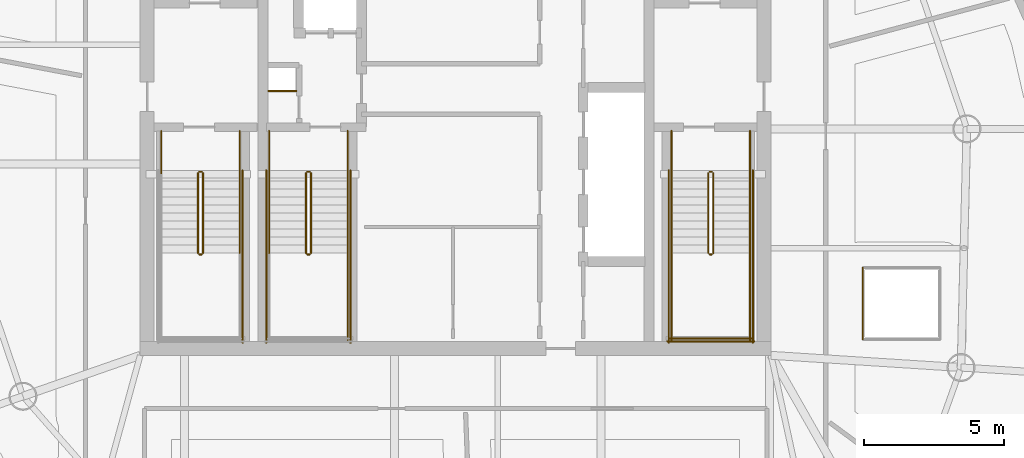
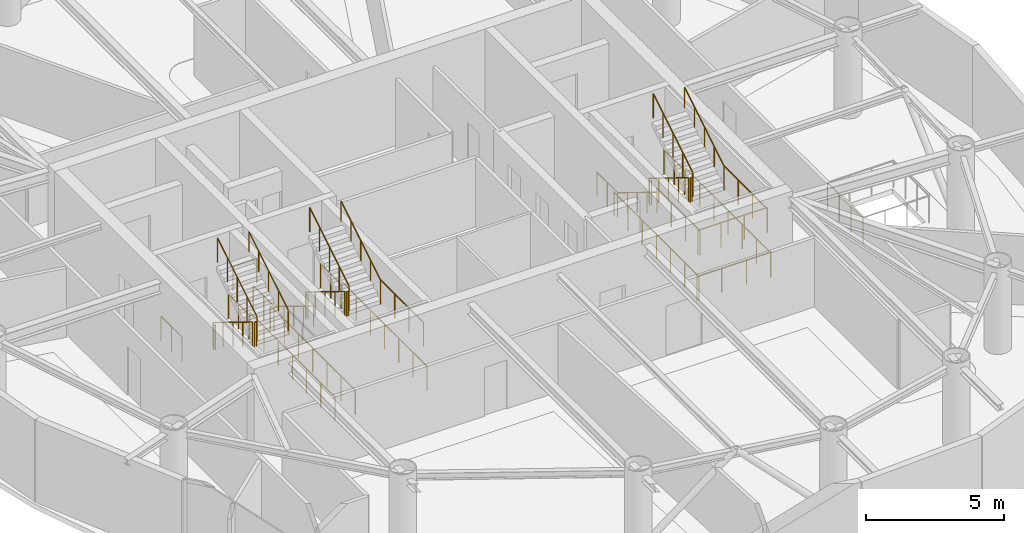
# One storey, part 16 of 17: 35 railings.
"""IFC4 building model written with IfcOpenShell, lengths in metres."""

from ifc_helpers import new_model, si_unit, direction, frame, origin, origin_2d, place, context, subcontext, project, spatial, circle, extrude, material, type_object, element, save


model = new_model("IFC4")

# Units and contexts
model_context = context("Model", 3, precision=1e-05, world=origin(), true_north=direction((0.0, 1.0)))
body_context = subcontext(model_context, "Body", "Model", "MODEL_VIEW")
ifc_project = project(units=[si_unit("LENGTHUNIT", "METRE"), si_unit("AREAUNIT", "SQUARE_METRE"), si_unit("VOLUMEUNIT", "CUBIC_METRE"), si_unit("PLANEANGLEUNIT", "RADIAN"), si_unit("MASSUNIT", "GRAM", prefix="KILO")], contexts=[model_context])

# Site, building, storey
site_placement = place(None, origin())
site = spatial("IfcSite", under=ifc_project, at=site_placement, CompositionType="ELEMENT")
building_placement = place(site_placement, origin())
building = spatial("IfcBuilding", under=site, at=building_placement, Name="Bramvorn Convention Spire", CompositionType="ELEMENT")
storey_placement = place(building_placement, frame((0.0, 0.0, 265.14990234375)))
storey = spatial("IfcBuildingStorey", under=building, at=storey_placement, Name="L67", CompositionType="ELEMENT", Elevation=265.14990234375)

# Railings
ifc_material_1 = material(Name="Warm Bronze Perforated Metal & Glass Balustrade", Category="glass")
railing_type_1 = type_object("IfcRailingType", Name="RL-POD-BALUSTRADE-1200", PredefinedType="BALUSTRADE", material=ifc_material_1)
railing_1_placement = place(storey_placement, frame((52.52001953125, 21.679931640625, 0.0)))
element("IfcRailing", 1, at=railing_1_placement, inside=storey, type_object=railing_type_1, Name="L67 Feature atrium void balustrade 4", PredefinedType="BALUSTRADE", context=body_context, shape_type="SweptSolid", body=[
    extrude(circle(Radius=0.02392578125, at=origin_2d()), frame((0.0, 0.0, 1.17578125), z_axis=(0.0, -1.0, 0.0), x_axis=(1.0, 0.0, 0.0)), (0.0, 0.0, 1.0), 2.559814453125),
    extrude(circle(Radius=0.02099609375, at=origin_2d()), origin(), (0.0, 0.0, 1.0), 1.15185546875),
    extrude(circle(Radius=0.02099609375, at=origin_2d()), frame((0.0, -0.853271484375, 0.0)), (0.0, 0.0, 1.0), 1.15185546875),
    extrude(circle(Radius=0.02099609375, at=origin_2d()), frame((0.0, -1.70654296875, 0.0)), (0.0, 0.0, 1.0), 1.15185546875),
    extrude(circle(Radius=0.02099609375, at=origin_2d()), frame((0.0, -2.559814453125, 0.0)), (0.0, 0.0, 1.0), 1.15185546875),
])
ifc_material_2 = material(Name="Painted Steel Balustrade & Guardrail", Category="steel")
railing_type_2 = type_object("IfcRailingType", Name="RL-STAIR-GUARD-1100", PredefinedType="GUARDRAIL", material=ifc_material_2)
railing_2_placement = place(storey_placement, frame((28.81005859375, 25.050048828125, 0.175048828125)))
element("IfcRailing", 2, at=railing_2_placement, inside=storey, type_object=railing_type_2, Name="L67 ST1 stair guard 1", PredefinedType="GUARDRAIL", context=body_context, shape_type="SweptSolid", body=[
    extrude(circle(Radius=0.02392578125, at=origin_2d()), frame((0.0, 0.0, 1.076171875), z_axis=(0.0, -0.852179220489, 0.52325001306), x_axis=(1.0, 0.0, 0.0)), (0.0, 0.0, 1.0), 3.344482421875),
    extrude(circle(Radius=0.02099609375, at=origin_2d()), origin(), (0.0, 0.0, 1.0), 1.052001953125),
    extrude(circle(Radius=0.02099609375, at=origin_2d()), frame((0.0, -0.71240234375, 0.4375)), (0.0, 0.0, 1.0), 1.052001953125),
    extrude(circle(Radius=0.02099609375, at=origin_2d()), frame((0.0, -1.425048828125, 0.875)), (0.0, 0.0, 1.0), 1.052001953125),
    extrude(circle(Radius=0.02099609375, at=origin_2d()), frame((0.0, -2.1376953125, 1.3125)), (0.0, 0.0, 1.0), 1.052001953125),
    extrude(circle(Radius=0.02099609375, at=origin_2d()), frame((0.0, -2.85009765625, 1.75)), (0.0, 0.0, 1.0), 1.052001953125),
])
railing_3_placement = place(storey_placement, frame((28.860107421875, 22.14990234375, 1.925048828125)))
element("IfcRailing", 3, at=railing_3_placement, inside=storey, type_object=railing_type_2, Name="L67 ST1 stair guard 2", PredefinedType="GUARDRAIL", context=body_context, shape_type="SweptSolid", body=[
    extrude(circle(Radius=0.02392578125, at=origin_2d()), frame((0.0, 0.0, 1.076171875), z_axis=(1.0, 0.0, 0.0), x_axis=(0.0, 1.0, 0.0)), (0.0, 0.0, 1.0), 0.079833984375),
    extrude(circle(Radius=0.02099609375, at=origin_2d()), origin(), (0.0, 0.0, 1.0), 1.052001953125),
    extrude(circle(Radius=0.02099609375, at=origin_2d()), frame((0.079833984375, 0.0, 0.0)), (0.0, 0.0, 1.0), 1.052001953125),
])
railing_4_placement = place(storey_placement, frame((28.989990234375, 22.199951171875, 2.10009765625)))
element("IfcRailing", 4, at=railing_4_placement, inside=storey, type_object=railing_type_2, Name="L67 ST1 stair guard 6", PredefinedType="GUARDRAIL", context=body_context, shape_type="SweptSolid", body=[
    extrude(circle(Radius=0.02392578125, at=origin_2d()), frame((0.0, 0.0, 1.076171875), z_axis=(0.0, 0.852179220489, 0.52325001306), x_axis=(-1.0, 0.0, 0.0)), (0.0, 0.0, 1.0), 3.344482421875),
    extrude(circle(Radius=0.02099609375, at=origin_2d()), origin(), (0.0, 0.0, 1.0), 1.052001953125),
    extrude(circle(Radius=0.02099609375, at=origin_2d()), frame((0.0, 0.71240234375, 0.4375)), (0.0, 0.0, 1.0), 1.052001953125),
    extrude(circle(Radius=0.02099609375, at=origin_2d()), frame((0.0, 1.425048828125, 0.875)), (0.0, 0.0, 1.0), 1.052001953125),
    extrude(circle(Radius=0.02099609375, at=origin_2d()), frame((0.0, 2.1376953125, 1.3125)), (0.0, 0.0, 1.0), 1.052001953125),
    extrude(circle(Radius=0.02099609375, at=origin_2d()), frame((0.0, 2.85009765625, 1.75)), (0.0, 0.0, 1.0), 1.052001953125),
])
railing_5_placement = place(storey_placement, frame((28.860107421875, 25.10009765625, 0.0)))
element("IfcRailing", 5, at=railing_5_placement, inside=storey, type_object=railing_type_2, Name="L67 ST1 stair guard 7", PredefinedType="GUARDRAIL", context=body_context, shape_type="SweptSolid", body=[
    extrude(circle(Radius=0.02392578125, at=origin_2d()), frame((0.0, 0.0, 1.076171875), z_axis=(1.0, 0.0, 0.0), x_axis=(0.0, 1.0, 0.0)), (0.0, 0.0, 1.0), 0.079833984375),
    extrude(circle(Radius=0.02099609375, at=origin_2d()), origin(), (0.0, 0.0, 1.0), 1.052001953125),
    extrude(circle(Radius=0.02099609375, at=origin_2d()), frame((0.079833984375, 0.0, 0.0)), (0.0, 0.0, 1.0), 1.052001953125),
])
for number, where, name in (
    (6, (27.5, 26.550048828125, 0.0), "L67 ST1 stair guard 8"),
    (7, (30.300048828125, 26.550048828125, 0.0), "L67 ST1 stair guard 9"),
):
    element("IfcRailing", number, at=place(storey_placement, frame(where)), inside=storey, type_object=railing_type_2, Name=name, PredefinedType="GUARDRAIL", context=body_context, shape_type="SweptSolid", body=[
        extrude(circle(Radius=0.02392578125, at=origin_2d()), frame((0.0, 0.0, 1.076171875), z_axis=(0.0, -1.0, 0.0), x_axis=(1.0, 0.0, 0.0)), (0.0, 0.0, 1.0), 1.5),
        extrude(circle(Radius=0.02099609375, at=origin_2d()), origin(), (0.0, 0.0, 1.0), 1.052001953125),
        extrude(circle(Radius=0.02099609375, at=origin_2d()), frame((0.0, -0.75, 0.0)), (0.0, 0.0, 1.0), 1.052001953125),
        extrude(circle(Radius=0.02099609375, at=origin_2d()), frame((0.0, -1.5, 0.0)), (0.0, 0.0, 1.0), 1.052001953125),
    ])
railing_6_placement = place(storey_placement, frame((30.39990234375, 25.14990234375, 0.0)))
element("IfcRailing", 8, at=railing_6_placement, inside=storey, type_object=railing_type_2, Name="L67 ST1 stair guard 11", PredefinedType="GUARDRAIL", context=body_context, shape_type="SweptSolid", body=[
    extrude(circle(Radius=0.02392578125, at=origin_2d()), frame((0.0, 0.0, 1.076171875), z_axis=(0.0, -1.0, 0.0), x_axis=(1.0, 0.0, 0.0)), (0.0, 0.0, 1.0), 6.14990234375),
    extrude(circle(Radius=0.02099609375, at=origin_2d()), origin(), (0.0, 0.0, 1.0), 1.052001953125),
    extrude(circle(Radius=0.02099609375, at=origin_2d()), frame((0.0, -1.02490234375, 0.0)), (0.0, 0.0, 1.0), 1.052001953125),
    extrude(circle(Radius=0.02099609375, at=origin_2d()), frame((0.0, -2.050048828125, 0.0)), (0.0, 0.0, 1.0), 1.052001953125),
    extrude(circle(Radius=0.02099609375, at=origin_2d()), frame((0.0, -3.074951171875, 0.0)), (0.0, 0.0, 1.0), 1.052001953125),
    extrude(circle(Radius=0.02099609375, at=origin_2d()), frame((0.0, -4.099853515625, 0.0)), (0.0, 0.0, 1.0), 1.052001953125),
    extrude(circle(Radius=0.02099609375, at=origin_2d()), frame((0.0, -5.125, 0.0)), (0.0, 0.0, 1.0), 1.052001953125),
    extrude(circle(Radius=0.02099609375, at=origin_2d()), frame((0.0, -6.14990234375, 0.0)), (0.0, 0.0, 1.0), 1.052001953125),
])
railing_7_placement = place(storey_placement, frame((47.010009765625, 25.050048828125, 0.175048828125)))
element("IfcRailing", 9, at=railing_7_placement, inside=storey, type_object=railing_type_2, Name="L67 ST2 stair guard 1", PredefinedType="GUARDRAIL", context=body_context, shape_type="SweptSolid", body=[
    extrude(circle(Radius=0.02392578125, at=origin_2d()), frame((0.0, 0.0, 1.076171875), z_axis=(0.0, -0.852179220489, 0.52325001306), x_axis=(1.0, 0.0, 0.0)), (0.0, 0.0, 1.0), 3.344482421875),
    extrude(circle(Radius=0.02099609375, at=origin_2d()), origin(), (0.0, 0.0, 1.0), 1.052001953125),
    extrude(circle(Radius=0.02099609375, at=origin_2d()), frame((0.0, -0.71240234375, 0.4375)), (0.0, 0.0, 1.0), 1.052001953125),
    extrude(circle(Radius=0.02099609375, at=origin_2d()), frame((0.0, -1.425048828125, 0.875)), (0.0, 0.0, 1.0), 1.052001953125),
    extrude(circle(Radius=0.02099609375, at=origin_2d()), frame((0.0, -2.1376953125, 1.3125)), (0.0, 0.0, 1.0), 1.052001953125),
    extrude(circle(Radius=0.02099609375, at=origin_2d()), frame((0.0, -2.85009765625, 1.75)), (0.0, 0.0, 1.0), 1.052001953125),
])
railing_8_placement = place(storey_placement, frame((47.06005859375, 22.14990234375, 1.925048828125)))
element("IfcRailing", 10, at=railing_8_placement, inside=storey, type_object=railing_type_2, Name="L67 ST2 stair guard 2", PredefinedType="GUARDRAIL", context=body_context, shape_type="SweptSolid", body=[
    extrude(circle(Radius=0.02392578125, at=origin_2d()), frame((0.0, 0.0, 1.076171875), z_axis=(1.0, 0.0, 0.0), x_axis=(0.0, 1.0, 0.0)), (0.0, 0.0, 1.0), 0.079833984375),
    extrude(circle(Radius=0.02099609375, at=origin_2d()), origin(), (0.0, 0.0, 1.0), 1.052001953125),
    extrude(circle(Radius=0.02099609375, at=origin_2d()), frame((0.079833984375, 0.0, 0.0)), (0.0, 0.0, 1.0), 1.052001953125),
])
for number, where, name in (
    (11, (45.699951171875, 22.199951171875, 1.925048828125), "L67 ST2 stair guard 3"),
    (12, (48.5, 22.199951171875, 1.925048828125), "L67 ST2 stair guard 4"),
):
    element("IfcRailing", number, at=place(storey_placement, frame(where)), inside=storey, type_object=railing_type_2, Name=name, PredefinedType="GUARDRAIL", context=body_context, shape_type="SweptSolid", body=[
        extrude(circle(Radius=0.02392578125, at=origin_2d()), frame((0.0, 0.0, 1.076171875), z_axis=(0.0, -1.0, 0.0), x_axis=(1.0, 0.0, 0.0)), (0.0, 0.0, 1.0), 3.099853515625),
        extrude(circle(Radius=0.02099609375, at=origin_2d()), origin(), (0.0, 0.0, 1.0), 1.052001953125),
        extrude(circle(Radius=0.02099609375, at=origin_2d()), frame((0.0, -1.033203125, 0.0)), (0.0, 0.0, 1.0), 1.052001953125),
        extrude(circle(Radius=0.02099609375, at=origin_2d()), frame((0.0, -2.066650390625, 0.0)), (0.0, 0.0, 1.0), 1.052001953125),
        extrude(circle(Radius=0.02099609375, at=origin_2d()), frame((0.0, -3.099853515625, 0.0)), (0.0, 0.0, 1.0), 1.052001953125),
    ])
railing_9_placement = place(storey_placement, frame((45.64990234375, 19.14990234375, 1.925048828125)))
element("IfcRailing", 13, at=railing_9_placement, inside=storey, type_object=railing_type_2, Name="L67 ST2 stair guard 5", PredefinedType="GUARDRAIL", context=body_context, shape_type="SweptSolid", body=[
    extrude(circle(Radius=0.02392578125, at=origin_2d()), frame((0.0, 0.0, 1.076171875), z_axis=(1.0, 0.0, 0.0), x_axis=(0.0, 1.0, 0.0)), (0.0, 0.0, 1.0), 2.900146484375),
    extrude(circle(Radius=0.02099609375, at=origin_2d()), origin(), (0.0, 0.0, 1.0), 1.052001953125),
    extrude(circle(Radius=0.02099609375, at=origin_2d()), frame((0.966796875, 0.0, 0.0)), (0.0, 0.0, 1.0), 1.052001953125),
    extrude(circle(Radius=0.02099609375, at=origin_2d()), frame((1.933349609375, 0.0, 0.0)), (0.0, 0.0, 1.0), 1.052001953125),
    extrude(circle(Radius=0.02099609375, at=origin_2d()), frame((2.900146484375, 0.0, 0.0)), (0.0, 0.0, 1.0), 1.052001953125),
])
railing_10_placement = place(storey_placement, frame((47.18994140625, 22.199951171875, 2.10009765625)))
element("IfcRailing", 14, at=railing_10_placement, inside=storey, type_object=railing_type_2, Name="L67 ST2 stair guard 6", PredefinedType="GUARDRAIL", context=body_context, shape_type="SweptSolid", body=[
    extrude(circle(Radius=0.02392578125, at=origin_2d()), frame((0.0, 0.0, 1.076171875), z_axis=(0.0, 0.852179220489, 0.52325001306), x_axis=(-1.0, 0.0, 0.0)), (0.0, 0.0, 1.0), 3.344482421875),
    extrude(circle(Radius=0.02099609375, at=origin_2d()), origin(), (0.0, 0.0, 1.0), 1.052001953125),
    extrude(circle(Radius=0.02099609375, at=origin_2d()), frame((0.0, 0.71240234375, 0.4375)), (0.0, 0.0, 1.0), 1.052001953125),
    extrude(circle(Radius=0.02099609375, at=origin_2d()), frame((0.0, 1.425048828125, 0.875)), (0.0, 0.0, 1.0), 1.052001953125),
    extrude(circle(Radius=0.02099609375, at=origin_2d()), frame((0.0, 2.1376953125, 1.3125)), (0.0, 0.0, 1.0), 1.052001953125),
    extrude(circle(Radius=0.02099609375, at=origin_2d()), frame((0.0, 2.85009765625, 1.75)), (0.0, 0.0, 1.0), 1.052001953125),
])
railing_11_placement = place(storey_placement, frame((47.06005859375, 25.10009765625, 0.0)))
element("IfcRailing", 15, at=railing_11_placement, inside=storey, type_object=railing_type_2, Name="L67 ST2 stair guard 7", PredefinedType="GUARDRAIL", context=body_context, shape_type="SweptSolid", body=[
    extrude(circle(Radius=0.02392578125, at=origin_2d()), frame((0.0, 0.0, 1.076171875), z_axis=(1.0, 0.0, 0.0), x_axis=(0.0, 1.0, 0.0)), (0.0, 0.0, 1.0), 0.079833984375),
    extrude(circle(Radius=0.02099609375, at=origin_2d()), origin(), (0.0, 0.0, 1.0), 1.052001953125),
    extrude(circle(Radius=0.02099609375, at=origin_2d()), frame((0.079833984375, 0.0, 0.0)), (0.0, 0.0, 1.0), 1.052001953125),
])
for number, where, name in (
    (16, (45.699951171875, 26.550048828125, 0.0), "L67 ST2 stair guard 8"),
    (17, (48.5, 26.550048828125, 0.0), "L67 ST2 stair guard 9"),
):
    element("IfcRailing", number, at=place(storey_placement, frame(where)), inside=storey, type_object=railing_type_2, Name=name, PredefinedType="GUARDRAIL", context=body_context, shape_type="SweptSolid", body=[
        extrude(circle(Radius=0.02392578125, at=origin_2d()), frame((0.0, 0.0, 1.076171875), z_axis=(0.0, -1.0, 0.0), x_axis=(1.0, 0.0, 0.0)), (0.0, 0.0, 1.0), 1.5),
        extrude(circle(Radius=0.02099609375, at=origin_2d()), origin(), (0.0, 0.0, 1.0), 1.052001953125),
        extrude(circle(Radius=0.02099609375, at=origin_2d()), frame((0.0, -0.75, 0.0)), (0.0, 0.0, 1.0), 1.052001953125),
        extrude(circle(Radius=0.02099609375, at=origin_2d()), frame((0.0, -1.5, 0.0)), (0.0, 0.0, 1.0), 1.052001953125),
    ])
for number, where, name in (
    (18, (45.60009765625, 25.14990234375, 0.0), "L67 ST2 stair guard 10"),
    (19, (48.60009765625, 25.14990234375, 0.0), "L67 ST2 stair guard 11"),
):
    element("IfcRailing", number, at=place(storey_placement, frame(where)), inside=storey, type_object=railing_type_2, Name=name, PredefinedType="GUARDRAIL", context=body_context, shape_type="SweptSolid", body=[
        extrude(circle(Radius=0.02392578125, at=origin_2d()), frame((0.0, 0.0, 1.076171875), z_axis=(0.0, -1.0, 0.0), x_axis=(1.0, 0.0, 0.0)), (0.0, 0.0, 1.0), 6.14990234375),
        extrude(circle(Radius=0.02099609375, at=origin_2d()), origin(), (0.0, 0.0, 1.0), 1.052001953125),
        extrude(circle(Radius=0.02099609375, at=origin_2d()), frame((0.0, -1.02490234375, 0.0)), (0.0, 0.0, 1.0), 1.052001953125),
        extrude(circle(Radius=0.02099609375, at=origin_2d()), frame((0.0, -2.050048828125, 0.0)), (0.0, 0.0, 1.0), 1.052001953125),
        extrude(circle(Radius=0.02099609375, at=origin_2d()), frame((0.0, -3.074951171875, 0.0)), (0.0, 0.0, 1.0), 1.052001953125),
        extrude(circle(Radius=0.02099609375, at=origin_2d()), frame((0.0, -4.099853515625, 0.0)), (0.0, 0.0, 1.0), 1.052001953125),
        extrude(circle(Radius=0.02099609375, at=origin_2d()), frame((0.0, -5.125, 0.0)), (0.0, 0.0, 1.0), 1.052001953125),
        extrude(circle(Radius=0.02099609375, at=origin_2d()), frame((0.0, -6.14990234375, 0.0)), (0.0, 0.0, 1.0), 1.052001953125),
    ])
railing_12_placement = place(storey_placement, frame((45.550048828125, 19.050048828125, 0.0)))
element("IfcRailing", 20, at=railing_12_placement, inside=storey, type_object=railing_type_2, Name="L67 ST2 stair guard 12", PredefinedType="GUARDRAIL", context=body_context, shape_type="SweptSolid", body=[
    extrude(circle(Radius=0.02392578125, at=origin_2d()), frame((0.0, 0.0, 1.076171875), z_axis=(1.0, 0.0, 0.0), x_axis=(0.0, 1.0, 0.0)), (0.0, 0.0, 1.0), 3.099853515625),
    extrude(circle(Radius=0.02099609375, at=origin_2d()), origin(), (0.0, 0.0, 1.0), 1.052001953125),
    extrude(circle(Radius=0.02099609375, at=origin_2d()), frame((1.033203125, 0.0, 0.0)), (0.0, 0.0, 1.0), 1.052001953125),
    extrude(circle(Radius=0.02099609375, at=origin_2d()), frame((2.066650390625, 0.0, 0.0)), (0.0, 0.0, 1.0), 1.052001953125),
    extrude(circle(Radius=0.02099609375, at=origin_2d()), frame((3.099853515625, 0.0, 0.0)), (0.0, 0.0, 1.0), 1.052001953125),
])
railing_13_placement = place(storey_placement, frame((32.659912109375, 25.050048828125, 0.175048828125)))
element("IfcRailing", 21, at=railing_13_placement, inside=storey, type_object=railing_type_2, Name="L67 ST3 stair guard 1", PredefinedType="GUARDRAIL", context=body_context, shape_type="SweptSolid", body=[
    extrude(circle(Radius=0.02392578125, at=origin_2d()), frame((0.0, 0.0, 1.076171875), z_axis=(0.0, -0.852179220489, 0.52325001306), x_axis=(1.0, 0.0, 0.0)), (0.0, 0.0, 1.0), 3.344482421875),
    extrude(circle(Radius=0.02099609375, at=origin_2d()), origin(), (0.0, 0.0, 1.0), 1.052001953125),
    extrude(circle(Radius=0.02099609375, at=origin_2d()), frame((0.0, -0.71240234375, 0.4375)), (0.0, 0.0, 1.0), 1.052001953125),
    extrude(circle(Radius=0.02099609375, at=origin_2d()), frame((0.0, -1.425048828125, 0.875)), (0.0, 0.0, 1.0), 1.052001953125),
    extrude(circle(Radius=0.02099609375, at=origin_2d()), frame((0.0, -2.1376953125, 1.3125)), (0.0, 0.0, 1.0), 1.052001953125),
    extrude(circle(Radius=0.02099609375, at=origin_2d()), frame((0.0, -2.85009765625, 1.75)), (0.0, 0.0, 1.0), 1.052001953125),
])
railing_14_placement = place(storey_placement, frame((32.7099609375, 22.14990234375, 1.925048828125)))
element("IfcRailing", 22, at=railing_14_placement, inside=storey, type_object=railing_type_2, Name="L67 ST3 stair guard 2", PredefinedType="GUARDRAIL", context=body_context, shape_type="SweptSolid", body=[
    extrude(circle(Radius=0.02392578125, at=origin_2d()), frame((0.0, 0.0, 1.076171875), z_axis=(1.0, 0.0, 0.0), x_axis=(0.0, 1.0, 0.0)), (0.0, 0.0, 1.0), 0.080078125),
    extrude(circle(Radius=0.02099609375, at=origin_2d()), origin(), (0.0, 0.0, 1.0), 1.052001953125),
    extrude(circle(Radius=0.02099609375, at=origin_2d()), frame((0.080078125, 0.0, 0.0)), (0.0, 0.0, 1.0), 1.052001953125),
])
railing_15_placement = place(storey_placement, frame((34.14990234375, 22.199951171875, 1.925048828125)))
element("IfcRailing", 23, at=railing_15_placement, inside=storey, type_object=railing_type_2, Name="L67 ST3 stair guard 4", PredefinedType="GUARDRAIL", context=body_context, shape_type="SweptSolid", body=[
    extrude(circle(Radius=0.02392578125, at=origin_2d()), frame((0.0, 0.0, 1.076171875), z_axis=(0.0, -1.0, 0.0), x_axis=(1.0, 0.0, 0.0)), (0.0, 0.0, 1.0), 3.099853515625),
    extrude(circle(Radius=0.02099609375, at=origin_2d()), origin(), (0.0, 0.0, 1.0), 1.052001953125),
    extrude(circle(Radius=0.02099609375, at=origin_2d()), frame((0.0, -1.033203125, 0.0)), (0.0, 0.0, 1.0), 1.052001953125),
    extrude(circle(Radius=0.02099609375, at=origin_2d()), frame((0.0, -2.066650390625, 0.0)), (0.0, 0.0, 1.0), 1.052001953125),
    extrude(circle(Radius=0.02099609375, at=origin_2d()), frame((0.0, -3.099853515625, 0.0)), (0.0, 0.0, 1.0), 1.052001953125),
])
railing_16_placement = place(storey_placement, frame((32.840087890625, 22.199951171875, 2.10009765625)))
element("IfcRailing", 24, at=railing_16_placement, inside=storey, type_object=railing_type_2, Name="L67 ST3 stair guard 6", PredefinedType="GUARDRAIL", context=body_context, shape_type="SweptSolid", body=[
    extrude(circle(Radius=0.02392578125, at=origin_2d()), frame((0.0, 0.0, 1.076171875), z_axis=(0.0, 0.852179220489, 0.52325001306), x_axis=(-1.0, 0.0, 0.0)), (0.0, 0.0, 1.0), 3.344482421875),
    extrude(circle(Radius=0.02099609375, at=origin_2d()), origin(), (0.0, 0.0, 1.0), 1.052001953125),
    extrude(circle(Radius=0.02099609375, at=origin_2d()), frame((0.0, 0.71240234375, 0.4375)), (0.0, 0.0, 1.0), 1.052001953125),
    extrude(circle(Radius=0.02099609375, at=origin_2d()), frame((0.0, 1.425048828125, 0.875)), (0.0, 0.0, 1.0), 1.052001953125),
    extrude(circle(Radius=0.02099609375, at=origin_2d()), frame((0.0, 2.1376953125, 1.3125)), (0.0, 0.0, 1.0), 1.052001953125),
    extrude(circle(Radius=0.02099609375, at=origin_2d()), frame((0.0, 2.85009765625, 1.75)), (0.0, 0.0, 1.0), 1.052001953125),
])
railing_17_placement = place(storey_placement, frame((32.7099609375, 25.10009765625, 0.0)))
element("IfcRailing", 25, at=railing_17_placement, inside=storey, type_object=railing_type_2, Name="L67 ST3 stair guard 7", PredefinedType="GUARDRAIL", context=body_context, shape_type="SweptSolid", body=[
    extrude(circle(Radius=0.02392578125, at=origin_2d()), frame((0.0, 0.0, 1.076171875), z_axis=(1.0, 0.0, 0.0), x_axis=(0.0, 1.0, 0.0)), (0.0, 0.0, 1.0), 0.080078125),
    extrude(circle(Radius=0.02099609375, at=origin_2d()), origin(), (0.0, 0.0, 1.0), 1.052001953125),
    extrude(circle(Radius=0.02099609375, at=origin_2d()), frame((0.080078125, 0.0, 0.0)), (0.0, 0.0, 1.0), 1.052001953125),
])
for number, where, name in (
    (26, (31.35009765625, 26.550048828125, 0.0), "L67 ST3 stair guard 8"),
    (27, (34.14990234375, 26.550048828125, 0.0), "L67 ST3 stair guard 9"),
):
    element("IfcRailing", number, at=place(storey_placement, frame(where)), inside=storey, type_object=railing_type_2, Name=name, PredefinedType="GUARDRAIL", context=body_context, shape_type="SweptSolid", body=[
        extrude(circle(Radius=0.02392578125, at=origin_2d()), frame((0.0, 0.0, 1.076171875), z_axis=(0.0, -1.0, 0.0), x_axis=(1.0, 0.0, 0.0)), (0.0, 0.0, 1.0), 1.5),
        extrude(circle(Radius=0.02099609375, at=origin_2d()), origin(), (0.0, 0.0, 1.0), 1.052001953125),
        extrude(circle(Radius=0.02099609375, at=origin_2d()), frame((0.0, -0.75, 0.0)), (0.0, 0.0, 1.0), 1.052001953125),
        extrude(circle(Radius=0.02099609375, at=origin_2d()), frame((0.0, -1.5, 0.0)), (0.0, 0.0, 1.0), 1.052001953125),
    ])
for number, where, name in (
    (28, (31.25, 25.14990234375, 0.0), "L67 ST3 stair guard 10"),
    (29, (34.25, 25.14990234375, 0.0), "L67 ST3 stair guard 11"),
):
    element("IfcRailing", number, at=place(storey_placement, frame(where)), inside=storey, type_object=railing_type_2, Name=name, PredefinedType="GUARDRAIL", context=body_context, shape_type="SweptSolid", body=[
        extrude(circle(Radius=0.02392578125, at=origin_2d()), frame((0.0, 0.0, 1.076171875), z_axis=(0.0, -1.0, 0.0), x_axis=(1.0, 0.0, 0.0)), (0.0, 0.0, 1.0), 6.14990234375),
        extrude(circle(Radius=0.02099609375, at=origin_2d()), origin(), (0.0, 0.0, 1.0), 1.052001953125),
        extrude(circle(Radius=0.02099609375, at=origin_2d()), frame((0.0, -1.02490234375, 0.0)), (0.0, 0.0, 1.0), 1.052001953125),
        extrude(circle(Radius=0.02099609375, at=origin_2d()), frame((0.0, -2.050048828125, 0.0)), (0.0, 0.0, 1.0), 1.052001953125),
        extrude(circle(Radius=0.02099609375, at=origin_2d()), frame((0.0, -3.074951171875, 0.0)), (0.0, 0.0, 1.0), 1.052001953125),
        extrude(circle(Radius=0.02099609375, at=origin_2d()), frame((0.0, -4.099853515625, 0.0)), (0.0, 0.0, 1.0), 1.052001953125),
        extrude(circle(Radius=0.02099609375, at=origin_2d()), frame((0.0, -5.125, 0.0)), (0.0, 0.0, 1.0), 1.052001953125),
        extrude(circle(Radius=0.02099609375, at=origin_2d()), frame((0.0, -6.14990234375, 0.0)), (0.0, 0.0, 1.0), 1.052001953125),
    ])
railing_18_placement = place(storey_placement, frame((31.320068359375, 27.97998046875, 0.0)))
element("IfcRailing", 30, at=railing_18_placement, inside=storey, type_object=railing_type_2, Name="L67 Telecom riser shaft opening safety guardrail", PredefinedType="GUARDRAIL", context=body_context, shape_type="SweptSolid", body=[
    extrude(circle(Radius=0.02392578125, at=origin_2d()), frame((0.0, 0.0, 1.076171875), z_axis=(1.0, 0.0, 0.0), x_axis=(0.0, 1.0, 0.0)), (0.0, 0.0, 1.0), 1.0),
    extrude(circle(Radius=0.02099609375, at=origin_2d()), origin(), (0.0, 0.0, 1.0), 1.052001953125),
    extrude(circle(Radius=0.02099609375, at=origin_2d()), frame((1.0, 0.0, 0.0)), (0.0, 0.0, 1.0), 1.052001953125),
])
ifc_material_3 = material(Name="Brushed Bronze Tubular Handrail", Category="aluminium")
railing_type_3 = type_object("IfcRailingType", Name="RL-STAIR-HR-920", PredefinedType="HANDRAIL", material=ifc_material_3)
railing_19_placement = place(storey_placement, frame((30.300048828125, 22.199951171875, 2.10009765625)))
element("IfcRailing", 31, at=railing_19_placement, inside=storey, type_object=railing_type_3, Name="L67 ST1 stair handrail 2", PredefinedType="HANDRAIL", context=body_context, shape_type="SweptSolid", body=[
    extrude(circle(Radius=0.02392578125, at=origin_2d()), frame((0.0, 0.0, 0.89599609375), z_axis=(0.0, 0.852179220489, 0.52325001306), x_axis=(-1.0, 0.0, 0.0)), (0.0, 0.0, 1.0), 3.344482421875),
    extrude(circle(Radius=0.02099609375, at=origin_2d()), origin(), (0.0, 0.0, 1.0), 0.871826171875),
    extrude(circle(Radius=0.02099609375, at=origin_2d()), frame((0.0, 0.71240234375, 0.4375)), (0.0, 0.0, 1.0), 0.871826171875),
    extrude(circle(Radius=0.02099609375, at=origin_2d()), frame((0.0, 1.425048828125, 0.875)), (0.0, 0.0, 1.0), 0.871826171875),
    extrude(circle(Radius=0.02099609375, at=origin_2d()), frame((0.0, 2.1376953125, 1.3125)), (0.0, 0.0, 1.0), 0.871826171875),
    extrude(circle(Radius=0.02099609375, at=origin_2d()), frame((0.0, 2.85009765625, 1.75)), (0.0, 0.0, 1.0), 0.871826171875),
])
railing_20_placement = place(storey_placement, frame((45.699951171875, 25.050048828125, 0.175048828125)))
element("IfcRailing", 32, at=railing_20_placement, inside=storey, type_object=railing_type_3, Name="L67 ST2 stair handrail 1", PredefinedType="HANDRAIL", context=body_context, shape_type="SweptSolid", body=[
    extrude(circle(Radius=0.02392578125, at=origin_2d()), frame((0.0, 0.0, 0.89599609375), z_axis=(0.0, -0.852179220489, 0.52325001306), x_axis=(1.0, 0.0, 0.0)), (0.0, 0.0, 1.0), 3.344482421875),
    extrude(circle(Radius=0.02099609375, at=origin_2d()), origin(), (0.0, 0.0, 1.0), 0.871826171875),
    extrude(circle(Radius=0.02099609375, at=origin_2d()), frame((0.0, -0.71240234375, 0.4375)), (0.0, 0.0, 1.0), 0.871826171875),
    extrude(circle(Radius=0.02099609375, at=origin_2d()), frame((0.0, -1.425048828125, 0.875)), (0.0, 0.0, 1.0), 0.871826171875),
    extrude(circle(Radius=0.02099609375, at=origin_2d()), frame((0.0, -2.1376953125, 1.3125)), (0.0, 0.0, 1.0), 0.871826171875),
    extrude(circle(Radius=0.02099609375, at=origin_2d()), frame((0.0, -2.85009765625, 1.75)), (0.0, 0.0, 1.0), 0.871826171875),
])
railing_21_placement = place(storey_placement, frame((48.5, 22.199951171875, 2.10009765625)))
element("IfcRailing", 33, at=railing_21_placement, inside=storey, type_object=railing_type_3, Name="L67 ST2 stair handrail 2", PredefinedType="HANDRAIL", context=body_context, shape_type="SweptSolid", body=[
    extrude(circle(Radius=0.02392578125, at=origin_2d()), frame((0.0, 0.0, 0.89599609375), z_axis=(0.0, 0.852179220489, 0.52325001306), x_axis=(-1.0, 0.0, 0.0)), (0.0, 0.0, 1.0), 3.344482421875),
    extrude(circle(Radius=0.02099609375, at=origin_2d()), origin(), (0.0, 0.0, 1.0), 0.871826171875),
    extrude(circle(Radius=0.02099609375, at=origin_2d()), frame((0.0, 0.71240234375, 0.4375)), (0.0, 0.0, 1.0), 0.871826171875),
    extrude(circle(Radius=0.02099609375, at=origin_2d()), frame((0.0, 1.425048828125, 0.875)), (0.0, 0.0, 1.0), 0.871826171875),
    extrude(circle(Radius=0.02099609375, at=origin_2d()), frame((0.0, 2.1376953125, 1.3125)), (0.0, 0.0, 1.0), 0.871826171875),
    extrude(circle(Radius=0.02099609375, at=origin_2d()), frame((0.0, 2.85009765625, 1.75)), (0.0, 0.0, 1.0), 0.871826171875),
])
railing_22_placement = place(storey_placement, frame((31.35009765625, 25.050048828125, 0.175048828125)))
element("IfcRailing", 34, at=railing_22_placement, inside=storey, type_object=railing_type_3, Name="L67 ST3 stair handrail 1", PredefinedType="HANDRAIL", context=body_context, shape_type="SweptSolid", body=[
    extrude(circle(Radius=0.02392578125, at=origin_2d()), frame((0.0, 0.0, 0.89599609375), z_axis=(0.0, -0.852179220489, 0.52325001306), x_axis=(1.0, 0.0, 0.0)), (0.0, 0.0, 1.0), 3.344482421875),
    extrude(circle(Radius=0.02099609375, at=origin_2d()), origin(), (0.0, 0.0, 1.0), 0.871826171875),
    extrude(circle(Radius=0.02099609375, at=origin_2d()), frame((0.0, -0.71240234375, 0.4375)), (0.0, 0.0, 1.0), 0.871826171875),
    extrude(circle(Radius=0.02099609375, at=origin_2d()), frame((0.0, -1.425048828125, 0.875)), (0.0, 0.0, 1.0), 0.871826171875),
    extrude(circle(Radius=0.02099609375, at=origin_2d()), frame((0.0, -2.1376953125, 1.3125)), (0.0, 0.0, 1.0), 0.871826171875),
    extrude(circle(Radius=0.02099609375, at=origin_2d()), frame((0.0, -2.85009765625, 1.75)), (0.0, 0.0, 1.0), 0.871826171875),
])
railing_23_placement = place(storey_placement, frame((34.14990234375, 22.199951171875, 2.10009765625)))
element("IfcRailing", 35, at=railing_23_placement, inside=storey, type_object=railing_type_3, Name="L67 ST3 stair handrail 2", PredefinedType="HANDRAIL", context=body_context, shape_type="SweptSolid", body=[
    extrude(circle(Radius=0.02392578125, at=origin_2d()), frame((0.0, 0.0, 0.89599609375), z_axis=(0.0, 0.852179220489, 0.52325001306), x_axis=(-1.0, 0.0, 0.0)), (0.0, 0.0, 1.0), 3.344482421875),
    extrude(circle(Radius=0.02099609375, at=origin_2d()), origin(), (0.0, 0.0, 1.0), 0.871826171875),
    extrude(circle(Radius=0.02099609375, at=origin_2d()), frame((0.0, 0.71240234375, 0.4375)), (0.0, 0.0, 1.0), 0.871826171875),
    extrude(circle(Radius=0.02099609375, at=origin_2d()), frame((0.0, 1.425048828125, 0.875)), (0.0, 0.0, 1.0), 0.871826171875),
    extrude(circle(Radius=0.02099609375, at=origin_2d()), frame((0.0, 2.1376953125, 1.3125)), (0.0, 0.0, 1.0), 0.871826171875),
    extrude(circle(Radius=0.02099609375, at=origin_2d()), frame((0.0, 2.85009765625, 1.75)), (0.0, 0.0, 1.0), 0.871826171875),
])

save(model, "model.ifc")
